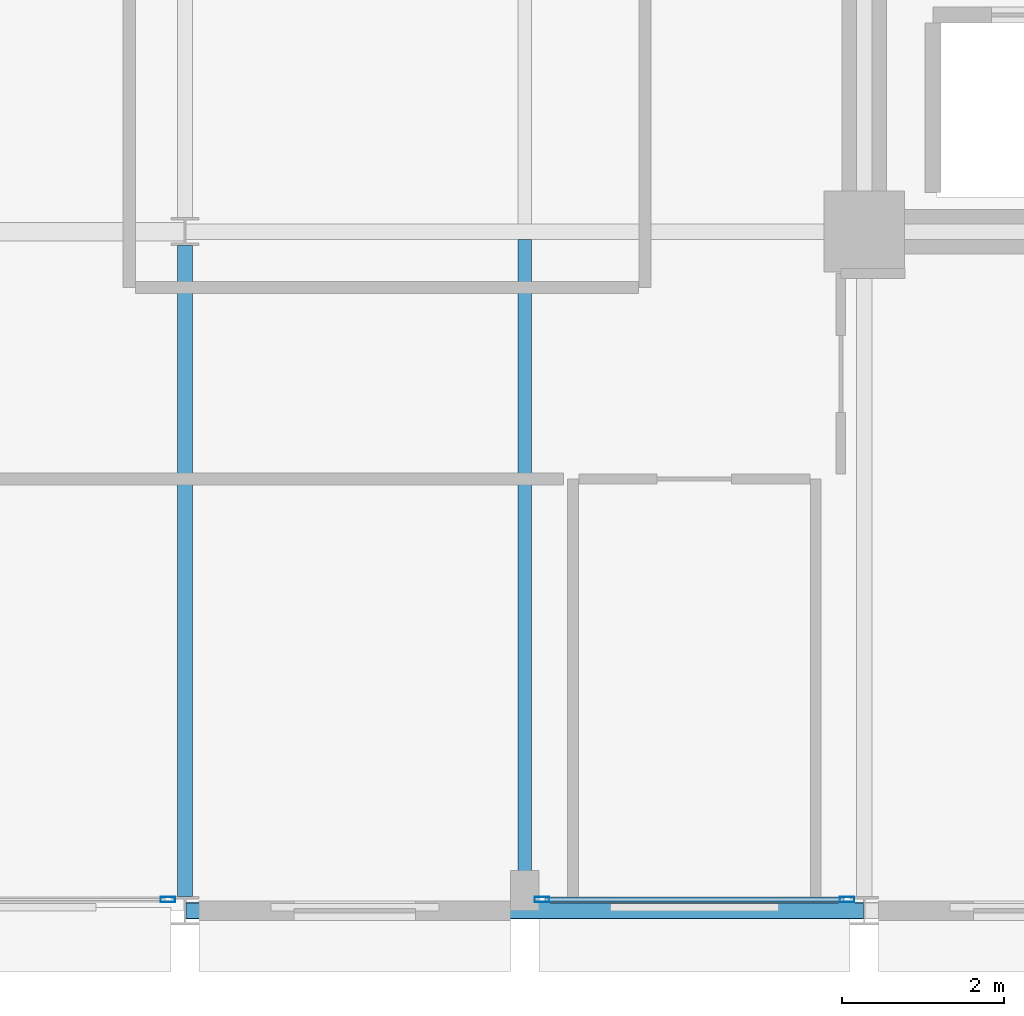
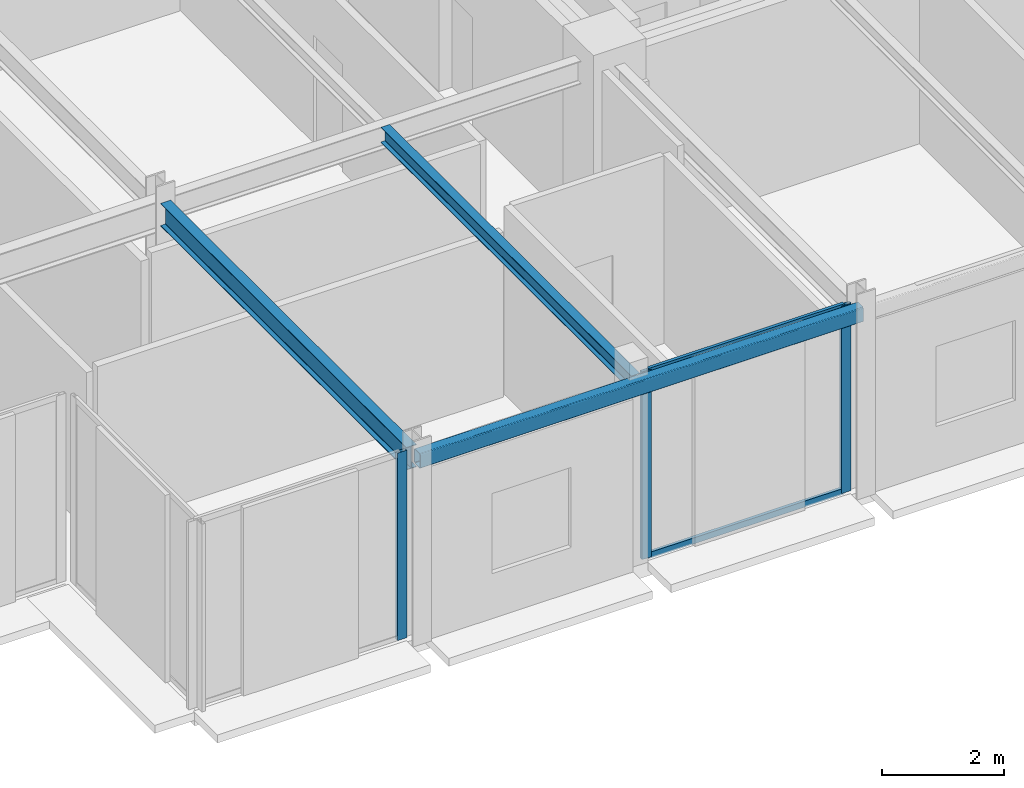
# One storey, part 6 of 30: 5 members, 3 beams, 2 elements without a shape of their own.
"""IFC4 building model written with IfcOpenShell, lengths in metres."""

import ifcopenshell
import ifcopenshell.guid

model = None  # the IFC model being written
_history = None  # IfcOwnerHistory: only IFC2X3 demands one
_inside = {}  # id of a spatial element -> (the spatial element, [elements in it])
_under = {}  # id of a project, library or spatial element -> (it, [spatial elements below it])
_declared = {}  # id of a project -> (the project, [libraries it declares])
_typed = {}  # id of a type object -> (the type object, [elements of that type])
_made_of = {}  # id of a material, layer set ... -> (it, [elements and type objects made of it])


def new_model(schema):
    """Start an empty IFC model of exactly this schema.

    Asked for "IFC4X3", IfcOpenShell would pick the latest addendum, in which some entities
    have other attributes; the version numbers below select the first issue.
    IFC2X3 requires an IfcOwnerHistory on every rooted entity: one is made here for all.
    """
    global model, _history
    if schema == "IFC4X3":
        model = ifcopenshell.file(schema_version=(4, 3, 0, 0))
    else:
        model = ifcopenshell.file(schema=schema)
    _inside.clear()
    _under.clear()
    _declared.clear()
    _typed.clear()
    _made_of.clear()
    _history = None
    if model.schema == "IFC2X3":
        org = make("IfcOrganization", Name="unknown")
        user = make(
            "IfcPersonAndOrganization",
            ThePerson=make("IfcPerson", FamilyName="unknown"),
            TheOrganization=org,
        )
        app = make(
            "IfcApplication",
            ApplicationDeveloper=org,
            Version="unknown",
            ApplicationFullName="unknown",
            ApplicationIdentifier="unknown",
        )
        _history = make(
            "IfcOwnerHistory",
            OwningUser=user,
            OwningApplication=app,
            ChangeAction="ADDED",
            CreationDate=0,
        )
    return model


def make(cls, **values):
    """One entity of the class cls with the attributes given. An attribute that is None is left unset."""
    return model.create_entity(
        cls, **{name: value for name, value in values.items() if value is not None}
    )


def rooted(cls, **values):
    """An entity with a GlobalId (a new one), such as an element, a storey or a relation."""
    return make(cls, GlobalId=ifcopenshell.guid.new(), OwnerHistory=_history, **values)


def si_unit(unit_type, name, prefix=None):
    """IfcSIUnit, for example si_unit("LENGTHUNIT", "METRE", prefix="MILLI")."""
    return make("IfcSIUnit", UnitType=unit_type, Prefix=prefix, Name=name)


def assignment(units):
    """IfcUnitAssignment: the units of a project."""
    return None if units is None else make("IfcUnitAssignment", Units=units)


def point(xyz):
    """IfcCartesianPoint."""
    return None if xyz is None else make("IfcCartesianPoint", Coordinates=xyz)


def direction(xyz):
    """IfcDirection."""
    return None if xyz is None else make("IfcDirection", DirectionRatios=xyz)


def frame(location, z_axis=None, x_axis=None):
    """IfcAxis2Placement3D, a coordinate frame: its origin and axes. An axis left out is left unset."""
    return make(
        "IfcAxis2Placement3D",
        Location=point(location),
        Axis=direction(z_axis),
        RefDirection=direction(x_axis),
    )


def frame_2d(location, x_axis=None):
    """IfcAxis2Placement2D, a coordinate frame in the plane: its origin and x axis."""
    return make(
        "IfcAxis2Placement2D", Location=point(location), RefDirection=direction(x_axis)
    )


def origin():
    """The frame at (0, 0, 0) with its axes left unset."""
    return frame((0.0, 0.0, 0.0))


def origin_2d():
    """The frame at (0, 0) in the plane with its x axis left unset."""
    return frame_2d((0.0, 0.0))


def place(relative_to, where):
    """IfcLocalPlacement: puts the frame where relative to a parent placement (None: the world)."""
    return make(
        "IfcLocalPlacement", PlacementRelTo=relative_to, RelativePlacement=where
    )


def context(
    kind, dimensions, precision=None, world=None, true_north=None, identifier=None
):
    """IfcGeometricRepresentationContext, for example the 3D "Model" context."""
    return make(
        "IfcGeometricRepresentationContext",
        ContextIdentifier=identifier,
        ContextType=kind,
        CoordinateSpaceDimension=dimensions,
        Precision=precision,
        WorldCoordinateSystem=world,
        TrueNorth=true_north,
    )


def subcontext(parent, identifier, kind, view, scale=None):
    """IfcGeometricRepresentationSubContext, for example "Body" below "Model"."""
    return make(
        "IfcGeometricRepresentationSubContext",
        ContextIdentifier=identifier,
        ContextType=kind,
        ParentContext=parent,
        TargetScale=scale,
        TargetView=view,
    )


def project(units=None, contexts=None):
    """IfcProject with its units and contexts."""
    return rooted(
        "IfcProject",
        Name="project",
        RepresentationContexts=contexts,
        UnitsInContext=assignment(units),
    )


def spatial(cls, under=None, at=None, **own):
    """A site, building, storey or space (cls), placed at a placement, below another one or the project."""
    s = rooted(cls, ObjectPlacement=at, **own)
    if under is not None:
        _under.setdefault(under.id(), (under, []))[1].append(s)
    return s


def profile(cls, at=None, kind="AREA", **sizes):
    """A parametric profile (cls). Its sizes go by their IFC names, for example OverallWidth=200.0."""
    return make(cls, ProfileType=kind, Position=at, **sizes)


def hollow_rectangle(**sizes):
    """IfcRectangleHollowProfileDef."""
    return profile("IfcRectangleHollowProfileDef", **sizes)


def i_section(**sizes):
    """IfcIShapeProfileDef."""
    return profile("IfcIShapeProfileDef", **sizes)


def extrude(swept, where, along, depth):
    """IfcExtrudedAreaSolid: the profile swept, set in the frame where, extruded along a direction by depth."""
    return make(
        "IfcExtrudedAreaSolid",
        SweptArea=swept,
        Position=where,
        ExtrudedDirection=direction(along),
        Depth=depth,
    )


def shape(context_of_items, identifier, shape_type, items):
    """IfcShapeRepresentation: the items that make up one representation, for example the "Body"."""
    return make(
        "IfcShapeRepresentation",
        ContextOfItems=context_of_items,
        RepresentationIdentifier=identifier,
        RepresentationType=shape_type,
        Items=items,
    )


def material(Name=None, Category=None):
    """IfcMaterial."""
    return make("IfcMaterial", Name=Name, Category=Category)


def layer(
    of_material, thickness, ventilated=None, Name=None, Category=None, Priority=None
):
    """IfcMaterialLayer: one layer of a wall or slab, of a material (None: an air gap)."""
    return make(
        "IfcMaterialLayer",
        Material=of_material,
        LayerThickness=thickness,
        IsVentilated=ventilated,
        Name=Name,
        Category=Category,
        Priority=Priority,
    )


def layer_set(layers, Name=None):
    """IfcMaterialLayerSet."""
    return make("IfcMaterialLayerSet", MaterialLayers=layers, LayerSetName=Name)


def material_profile(
    of_material, cross_section, Name=None, Category=None, Priority=None
):
    """IfcMaterialProfile: a cross section and its material."""
    return make(
        "IfcMaterialProfile",
        Name=Name,
        Material=of_material,
        Profile=cross_section,
        Priority=Priority,
        Category=Category,
    )


def profile_set(profiles, Name=None, composite=None):
    """IfcMaterialProfileSet."""
    return make(
        "IfcMaterialProfileSet",
        Name=Name,
        MaterialProfiles=profiles,
        CompositeProfile=composite,
    )


def made_of(thing, what):
    """Note that an element or type object is made of a material, layer set ...; save() writes the relation."""
    if what is not None:
        _made_of.setdefault(what.id(), (what, []))[1].append(thing)
    return thing


def type_object(cls, material=None, **own):
    """A type object (cls), such as IfcWallType, which elements share."""
    return made_of(rooted(cls, **own), material)


def element(
    cls,
    number,
    at=None,
    inside=None,
    cuts=None,
    type_object=None,
    material=None,
    context=None,
    identifier="Body",
    shape_type=None,
    held_by="IfcProductDefinitionShape",
    body=None,
    shapes=None,
    **own,
):
    """One element of the class cls, such as IfcWall. Its Tag is "e" and its number.

    at: its placement. inside: the storey or other place that contains it. cuts: it is an
    opening in that element (IfcRelVoidsElement). A single representation is given by context,
    identifier, shape_type and body (its items); several are given by shapes. held_by: the class
    of the entity that holds the representations. save() writes the other relations.
    """
    e = rooted(cls, Tag="e%d" % number, ObjectPlacement=at, **own)
    if body is not None:
        shapes = [shape(context, identifier, shape_type, body)]
    if shapes is not None:
        e.Representation = make(held_by, Representations=shapes)
    if inside is not None:
        _inside.setdefault(inside.id(), (inside, []))[1].append(e)
    if cuts is not None:
        rooted(
            "IfcRelVoidsElement", RelatingBuildingElement=cuts, RelatedOpeningElement=e
        )
    if type_object is not None:
        _typed.setdefault(type_object.id(), (type_object, []))[1].append(e)
    return made_of(e, material)


def aggregate(whole, parts):
    """IfcRelAggregates: a whole, such as a stair, and the parts it consists of."""
    return rooted("IfcRelAggregates", RelatingObject=whole, RelatedObjects=parts)


def save(model, path):
    """Write the relations noted so far, then the file.

    IfcRelAggregates (storeys below a building ...), IfcRelContainedInSpatialStructure (elements
    in a storey), IfcRelDefinesByType, IfcRelAssociatesMaterial and IfcRelDeclares: one each for
    every whole, place, type object, material and project.
    """
    for whole, parts in _under.values():
        aggregate(whole, parts)
    for where, things in _inside.values():
        rooted(
            "IfcRelContainedInSpatialStructure",
            RelatedElements=things,
            RelatingStructure=where,
        )
    for kind, things in _typed.values():
        rooted("IfcRelDefinesByType", RelatedObjects=things, RelatingType=kind)
    for what, things in _made_of.values():
        rooted("IfcRelAssociatesMaterial", RelatedObjects=things, RelatingMaterial=what)
    for by, libraries in _declared.values():
        rooted("IfcRelDeclares", RelatingContext=by, RelatedDefinitions=libraries)
    model.write(path)


model = new_model("IFC4")

# Units and contexts
model_context = context("Model", 3, precision=1e-05, world=origin(), true_north=direction((0.0, 1.0)))
body_context = subcontext(model_context, "Body", "Model", "MODEL_VIEW")
ifc_project = project(units=[si_unit("LENGTHUNIT", "METRE"), si_unit("AREAUNIT", "SQUARE_METRE"), si_unit("VOLUMEUNIT", "CUBIC_METRE"), si_unit("PLANEANGLEUNIT", "RADIAN"), si_unit("MASSUNIT", "GRAM", prefix="KILO")], contexts=[model_context])

# Site, building, storey
site_placement = place(None, origin())
site = spatial("IfcSite", under=ifc_project, at=site_placement, CompositionType="ELEMENT")
building_placement = place(site_placement, origin())
building = spatial("IfcBuilding", under=site, at=building_placement, Name="Nerrivon Quay Data Exchange", CompositionType="ELEMENT")
storey_placement = place(building_placement, frame((0.0, 0.0, 216.5)))
storey = spatial("IfcBuildingStorey", under=building, at=storey_placement, Name="L51", CompositionType="ELEMENT", Elevation=216.5)

# Beams
ifc_material_1 = material(Name="Steel Grade 350", Category="steel")
ifc_material_profile_1 = material_profile(ifc_material_1, i_section(OverallWidth=0.18994140625, OverallDepth=0.4541015625, WebThickness=0.008544921875, FlangeThickness=0.0126953125, FilletRadius=0.011474609375, at=origin_2d()), Name="460UB67.1")
ifc_profile_set_1 = profile_set([ifc_material_profile_1], Name="Steel Grade 350")
beam_type_1 = type_object("IfcBeamType", Name="BM-G6-460UB67", PredefinedType="BEAM", material=ifc_profile_set_1)
beam_1_placement = place(storey_placement, frame((8.39990234375, 0.175048828125, 3.52294921875), z_axis=(0.0, 1.0, 0.0), x_axis=(-1.0, 0.0, 0.0)))
element("IfcBeam", 1, at=beam_1_placement, inside=storey, type_object=beam_type_1, Name="L51 NS Girder X=8.4 (0.0..8.4)", PredefinedType="BEAM", context=body_context, shape_type="SweptSolid", body=[
    extrude(i_section(OverallWidth=0.18994140625, OverallDepth=0.4541015625, WebThickness=0.008544921875, FlangeThickness=0.0126953125, FilletRadius=0.011474609375, at=origin_2d()), origin(), (0.0, 0.0, 1.0), 8.050048828125),
])
ifc_material_profile_2 = material_profile(ifc_material_1, i_section(OverallWidth=0.166015625, OverallDepth=0.306884765625, WebThickness=0.006591796875, FlangeThickness=0.01171875, FilletRadius=0.011474609375, at=origin_2d()), Name="310UB46.2")
ifc_profile_set_2 = profile_set([ifc_material_profile_2], Name="Steel Grade 350")
beam_type_2 = type_object("IfcBeamType", Name="BM-J5-310UB46", PredefinedType="JOIST", material=ifc_profile_set_2)
beam_2_placement = place(storey_placement, frame((12.60009765625, 0.10009765625, 3.596435546875), z_axis=(0.0, 1.0, 0.0), x_axis=(-1.0, 0.0, 0.0)))
element("IfcBeam", 2, at=beam_2_placement, inside=storey, type_object=beam_type_2, Name="L51 Secondary Joist X=12.6 (0.0..8.4)", PredefinedType="JOIST", context=body_context, shape_type="SweptSolid", body=[
    extrude(i_section(OverallWidth=0.166015625, OverallDepth=0.306884765625, WebThickness=0.006591796875, FlangeThickness=0.01171875, FilletRadius=0.011474609375, at=origin_2d()), origin(), (0.0, 0.0, 1.0), 8.204345703125),
])
ifc_material_2 = material(Name="Steel Grade C350L0 (350 MPa)", Category="steel")
ifc_material_profile_3 = material_profile(ifc_material_2, hollow_rectangle(XDim=0.199951171875, YDim=0.300048828125, WallThickness=0.012451171875, InnerFilletRadius=0.018798828125, OuterFilletRadius=0.03125, at=origin_2d()), Name="300x200x12.5RHS")
ifc_profile_set_3 = profile_set([ifc_material_profile_3], Name="Steel Grade C350L0 (350 MPa)")
beam_type_3 = type_object("IfcBeamType", Name="BM-SP3-300x200RHS", PredefinedType="SPANDREL", material=ifc_profile_set_3)
beam_3_placement = place(storey_placement, frame((8.409912109375, 0.0, 3.60009765625), z_axis=(1.0, 0.0, 0.0), x_axis=(0.0, 1.0, 0.0)))
element("IfcBeam", 3, at=beam_3_placement, inside=storey, type_object=beam_type_3, Name="L51 EW Girder Y=0.0 (8.4..16.8)", PredefinedType="SPANDREL", context=body_context, shape_type="SweptSolid", body=[
    extrude(hollow_rectangle(XDim=0.199951171875, YDim=0.300048828125, WallThickness=0.012451171875, InnerFilletRadius=0.018798828125, OuterFilletRadius=0.03125, at=origin_2d()), origin(), (0.0, 0.0, 1.0), 8.380126953125),
])

# Curtain wall, members
ifc_material_3 = material(Name="Anodised aluminium 6063-T6", Category="aluminium")
ifc_layer = layer(ifc_material_3, 0.195068359375)
ifc_layer_set = layer_set([ifc_layer], Name="Anodised aluminium 6063-T6")
curtain_wall_type = type_object("IfcCurtainWallType", Name="CW-SYS-06", PredefinedType="NOTDEFINED", material=ifc_layer_set)
curtain_wall_1_placement = place(storey_placement, origin())
curtain_wall_1 = element("IfcCurtainWall", 4, at=curtain_wall_1_placement, inside=storey, type_object=curtain_wall_type, Name="L51 Unitised Curtain Wall 26", PredefinedType="NOTDEFINED")
ifc_material_profile_4 = material_profile(ifc_material_3, hollow_rectangle(XDim=0.06494140625, YDim=0.179931640625, WallThickness=0.00341796875, at=origin_2d()), Name="ALU-MULL-180x65")
ifc_profile_set_4 = profile_set([ifc_material_profile_4], Name="Anodised aluminium 6063-T6")
member_type_1 = type_object("IfcMemberType", Name="CWM-180x65", PredefinedType="MULLION", material=ifc_profile_set_4)
member_1_placement = place(storey_placement, frame((16.58740234375, 0.139892578125, 0.0), z_axis=(0.0, 0.0, 1.0), x_axis=(0.0, -1.0, 0.0)))
member_1 = element("IfcMember", 5, at=member_1_placement, type_object=member_type_1, Name="CW06 mullion 1", PredefinedType="MULLION", context=body_context, shape_type="SweptSolid", body=[
    extrude(hollow_rectangle(XDim=0.06494140625, YDim=0.179931640625, WallThickness=0.00341796875, at=origin_2d()), origin(), (0.0, 0.0, 1.0), 3.75),
])
member_2_placement = place(storey_placement, frame((12.8125, 0.139892578125, 0.0), z_axis=(0.0, 0.0, 1.0), x_axis=(0.0, -1.0, 0.0)))
member_2 = element("IfcMember", 6, at=member_2_placement, type_object=member_type_1, Name="CW06 mullion 2", PredefinedType="MULLION", context=body_context, shape_type="SweptSolid", body=[
    extrude(hollow_rectangle(XDim=0.06494140625, YDim=0.179931640625, WallThickness=0.00341796875, at=origin_2d()), origin(), (0.0, 0.0, 1.0), 3.75),
])

# Curtain wall, member
curtain_wall_2_placement = place(storey_placement, origin())
curtain_wall_2 = element("IfcCurtainWall", 7, at=curtain_wall_2_placement, inside=storey, type_object=curtain_wall_type, Name="L51 Unitised Curtain Wall 28", PredefinedType="NOTDEFINED")
member_3_placement = place(storey_placement, frame((8.1875, 0.139892578125, 0.0), z_axis=(0.0, 0.0, 1.0), x_axis=(0.0, -1.0, 0.0)))
member_3 = element("IfcMember", 8, at=member_3_placement, type_object=member_type_1, Name="CW06 mullion 1", PredefinedType="MULLION", context=body_context, shape_type="SweptSolid", body=[
    extrude(hollow_rectangle(XDim=0.06494140625, YDim=0.179931640625, WallThickness=0.00341796875, at=origin_2d()), origin(), (0.0, 0.0, 1.0), 3.75),
])
aggregate(curtain_wall_2, [member_3])

# Member
ifc_material_profile_5 = material_profile(ifc_material_3, hollow_rectangle(XDim=0.06005859375, YDim=0.1201171875, WallThickness=0.003173828125, at=origin_2d()), Name="ALU-TRAN-120x60")
ifc_profile_set_5 = profile_set([ifc_material_profile_5], Name="Anodised aluminium 6063-T6")
member_type_2 = type_object("IfcMemberType", Name="CWT-120x60", PredefinedType="USERDEFINED", material=ifc_profile_set_5)
member_4_placement = place(storey_placement, frame((16.550048828125, 0.139892578125, 0.032470703125), z_axis=(-1.0, 0.0, 0.0), x_axis=(0.0, -1.0, 0.0)))
member_4 = element("IfcMember", 9, at=member_4_placement, type_object=member_type_2, Name="CW06 transom 1.1", ObjectType="TRANSOM", PredefinedType="USERDEFINED", context=body_context, shape_type="SweptSolid", body=[
    extrude(hollow_rectangle(XDim=0.06005859375, YDim=0.1201171875, WallThickness=0.003173828125, at=origin_2d()), origin(), (0.0, 0.0, 1.0), 3.699951171875),
])

member_5_placement = place(storey_placement, frame((16.550048828125, 0.139892578125, 3.717529296875), z_axis=(-1.0, 0.0, 0.0), x_axis=(0.0, -1.0, 0.0)))
member_5 = element("IfcMember", 10, at=member_5_placement, type_object=member_type_2, Name="CW06 transom 1.2", ObjectType="TRANSOM", PredefinedType="USERDEFINED", context=body_context, shape_type="SweptSolid", body=[
    extrude(hollow_rectangle(XDim=0.06005859375, YDim=0.1201171875, WallThickness=0.003173828125, at=origin_2d()), origin(), (0.0, 0.0, 1.0), 3.699951171875),
])

aggregate(curtain_wall_1, [member_1, member_2, member_4, member_5])

save(model, "model.ifc")
